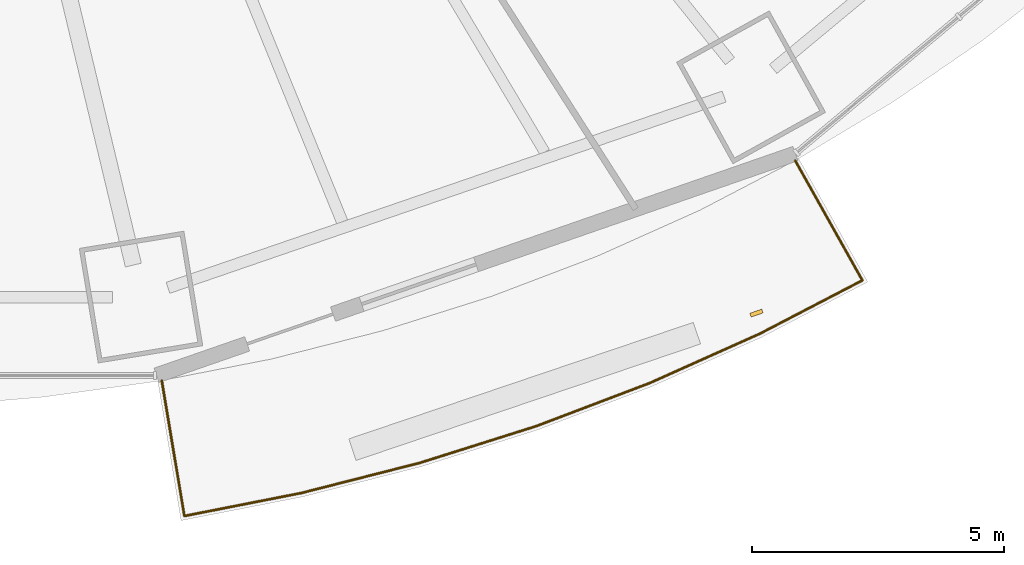
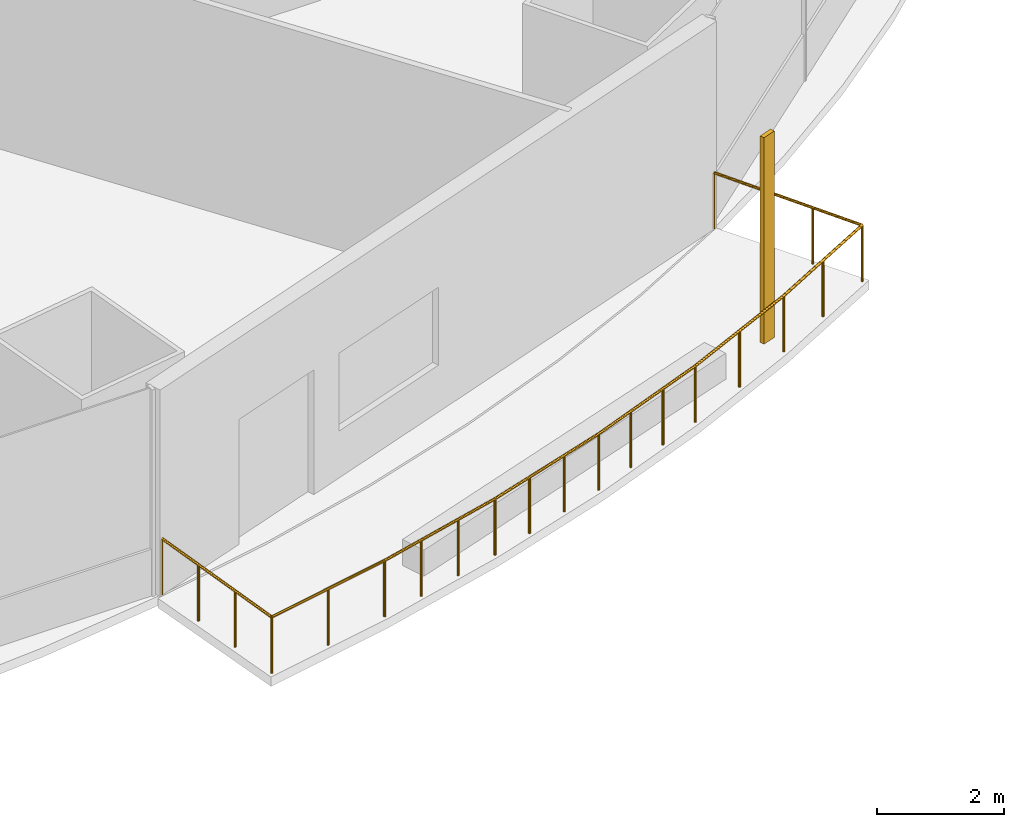
# One storey, part 18 of 22: 1 railing, 1 shading device.
"""IFC4 building model written with IfcOpenShell, lengths in metres."""

from ifc_helpers import new_model, si_unit, direction, frame, origin, origin_2d, place, context, subcontext, project, spatial, rectangle, circle, extrude, material, material_profile, profile_set, type_object, element, save


model = new_model("IFC4")

# Units and contexts
model_context = context("Model", 3, precision=1e-05, world=origin(), true_north=direction((0.0, 1.0)))
body_context = subcontext(model_context, "Body", "Model", "MODEL_VIEW")
ifc_project = project(units=[si_unit("LENGTHUNIT", "METRE"), si_unit("AREAUNIT", "SQUARE_METRE"), si_unit("VOLUMEUNIT", "CUBIC_METRE"), si_unit("PLANEANGLEUNIT", "RADIAN"), si_unit("MASSUNIT", "GRAM", prefix="KILO")], contexts=[model_context])

# Site, building, storey
site_placement = place(None, origin())
site = spatial("IfcSite", under=ifc_project, at=site_placement, CompositionType="ELEMENT")
building_placement = place(site_placement, origin())
building = spatial("IfcBuilding", under=site, at=building_placement, Name="Marenthal Gate Tower", CompositionType="ELEMENT")
storey_placement = place(building_placement, frame((0.0, 0.0, 86.949951171875)))
storey = spatial("IfcBuildingStorey", under=building, at=storey_placement, Name="L17", CompositionType="ELEMENT", Elevation=86.949951171875)

# Railing
ifc_material_1 = material(Name="Stainless steel", Category="steel")
railing_type = type_object("IfcRailingType", Name="Balcony guard 1100", PredefinedType="GUARDRAIL", material=ifc_material_1)
railing_placement = place(storey_placement, frame((19.50341796875, -24.59912109375, 0.0)))
element("IfcRailing", 1, at=railing_placement, inside=storey, type_object=railing_type, Name="Balcony guard L17 bay 13", PredefinedType="GUARDRAIL", context=body_context, shape_type="SweptSolid", body=[
    extrude(circle(Radius=0.02392578125, at=origin_2d()), frame((0.0, 0.0, 1.076171875), z_axis=(0.489023148101, -0.872146623829, -0.01471825955), x_axis=(0.872241104505, 0.489076124557, 0.0)), (0.0, 0.0, 1.0), 2.720458984375),
    extrude(circle(Radius=0.02392578125, at=origin_2d()), frame((1.330322265625, -2.37255859375, 1.0361328125), z_axis=(-0.887216801235, -0.461352736642, 0.0), x_axis=(0.461352736642, -0.887216801235, 0.0)), (0.0, 0.0, 1.0), 2.290771484375),
    extrude(circle(Radius=0.02392578125, at=origin_2d()), frame((-0.7021484375, -3.429443359375, 1.0361328125), z_axis=(-0.912542222384, -0.408982508631, 0.0), x_axis=(0.408982508631, -0.912542222384, 0.0)), (0.0, 0.0, 1.0), 2.3876953125),
    extrude(circle(Radius=0.02392578125, at=origin_2d()), frame((-2.881103515625, -4.406005859375, 1.0361328125), z_axis=(-0.934801116304, -0.355171610573, 0.0), x_axis=(0.355171610573, -0.934801116304, 0.0)), (0.0, 0.0, 1.0), 2.40380859375),
    extrude(circle(Radius=0.02392578125, at=origin_2d()), frame((-5.128173828125, -5.259765625, 1.0361328125), z_axis=(-0.953649791478, -0.300918718616, 0.0), x_axis=(0.300918718616, -0.953649791478, 0.0)), (0.0, 0.0, 1.0), 2.417724609375),
    extrude(circle(Radius=0.02392578125, at=origin_2d()), frame((-7.433837890625, -5.9873046875, 1.0361328125), z_axis=(-0.969141273658, -0.246505966848, 0.0), x_axis=(0.246505966848, -0.969141273658, 0.0)), (0.0, 0.0, 1.0), 2.429443359375),
    extrude(circle(Radius=0.02392578125, at=origin_2d()), frame((-9.788330078125, -6.586181640625, 1.0361328125), z_axis=(-0.981243578155, -0.19277199052, 0.0), x_axis=(0.19277199052, -0.981243578155, 0.0)), (0.0, 0.0, 1.0), 2.359375),
    extrude(circle(Radius=0.02392578125, at=origin_2d()), frame((-12.103515625, -7.041015625, 1.0361328125), z_axis=(-0.164599482451, 0.986250661205, 0.014718819587), x_axis=(-0.986357511038, -0.164617315064, 0.0)), (0.0, 0.0, 1.0), 2.72021484375),
    extrude(circle(Radius=0.02099609375, at=origin_2d()), origin(), (0.0, 0.0, 1.0), 1.052001953125),
    extrude(circle(Radius=0.02099609375, at=origin_2d()), frame((0.443359375, -0.790771484375, -0.013427734375)), (0.0, 0.0, 1.0), 1.052001953125),
    extrude(circle(Radius=0.02099609375, at=origin_2d()), frame((0.886962890625, -1.581787109375, -0.026611328125)), (0.0, 0.0, 1.0), 1.052001953125),
    extrude(circle(Radius=0.02099609375, at=origin_2d()), frame((1.330322265625, -2.37255859375, -0.0400390625)), (0.0, 0.0, 1.0), 1.052001953125),
    extrude(circle(Radius=0.02099609375, at=origin_2d()), frame((0.31396484375, -2.90087890625, -0.0400390625)), (0.0, 0.0, 1.0), 1.052001953125),
    extrude(circle(Radius=0.02099609375, at=origin_2d()), frame((-0.7021484375, -3.429443359375, -0.0400390625)), (0.0, 0.0, 1.0), 1.052001953125),
    extrude(circle(Radius=0.02099609375, at=origin_2d()), frame((-1.79150390625, -3.917724609375, -0.0400390625)), (0.0, 0.0, 1.0), 1.052001953125),
    extrude(circle(Radius=0.02099609375, at=origin_2d()), frame((-2.881103515625, -4.406005859375, -0.0400390625)), (0.0, 0.0, 1.0), 1.052001953125),
    extrude(circle(Radius=0.02099609375, at=origin_2d()), frame((-3.630126953125, -4.690673828125, -0.0400390625)), (0.0, 0.0, 1.0), 1.052001953125),
    extrude(circle(Radius=0.02099609375, at=origin_2d()), frame((-4.379150390625, -4.97509765625, -0.0400390625)), (0.0, 0.0, 1.0), 1.052001953125),
    extrude(circle(Radius=0.02099609375, at=origin_2d()), frame((-5.128173828125, -5.259765625, -0.0400390625)), (0.0, 0.0, 1.0), 1.052001953125),
    extrude(circle(Radius=0.02099609375, at=origin_2d()), frame((-5.896728515625, -5.502197265625, -0.0400390625)), (0.0, 0.0, 1.0), 1.052001953125),
    extrude(circle(Radius=0.02099609375, at=origin_2d()), frame((-6.665283203125, -5.744873046875, -0.0400390625)), (0.0, 0.0, 1.0), 1.052001953125),
    extrude(circle(Radius=0.02099609375, at=origin_2d()), frame((-7.433837890625, -5.9873046875, -0.0400390625)), (0.0, 0.0, 1.0), 1.052001953125),
    extrude(circle(Radius=0.02099609375, at=origin_2d()), frame((-8.21875, -6.18701171875, -0.0400390625)), (0.0, 0.0, 1.0), 1.052001953125),
    extrude(circle(Radius=0.02099609375, at=origin_2d()), frame((-9.00341796875, -6.386474609375, -0.0400390625)), (0.0, 0.0, 1.0), 1.052001953125),
    extrude(circle(Radius=0.02099609375, at=origin_2d()), frame((-9.788330078125, -6.586181640625, -0.0400390625)), (0.0, 0.0, 1.0), 1.052001953125),
    extrude(circle(Radius=0.02099609375, at=origin_2d()), frame((-10.94580078125, -6.8134765625, -0.0400390625)), (0.0, 0.0, 1.0), 1.052001953125),
    extrude(circle(Radius=0.02099609375, at=origin_2d()), frame((-12.103515625, -7.041015625, -0.0400390625)), (0.0, 0.0, 1.0), 1.052001953125),
    extrude(circle(Radius=0.02099609375, at=origin_2d()), frame((-12.252685546875, -6.146728515625, -0.026611328125)), (0.0, 0.0, 1.0), 1.052001953125),
    extrude(circle(Radius=0.02099609375, at=origin_2d()), frame((-12.402099609375, -5.25244140625, -0.013427734375)), (0.0, 0.0, 1.0), 1.052001953125),
    extrude(circle(Radius=0.02099609375, at=origin_2d()), frame((-12.55126953125, -4.358154296875, 0.0)), (0.0, 0.0, 1.0), 1.052001953125),
])

# Shading device
ifc_material_2 = material(Name="Terracotta", Category="masonry")
ifc_material_profile = material_profile(ifc_material_2, rectangle(XDim=0.25, YDim=0.080078125, at=origin_2d()), Name="Terracotta baguette 250x80")
ifc_profile_set = profile_set([ifc_material_profile], Name="Terracotta")
shading_device_type = type_object("IfcShadingDeviceType", Name="Terracotta BAGUETTE SCREEN 250x80", PredefinedType="USERDEFINED", material=ifc_profile_set)
shading_device_placement = place(storey_placement, frame((18.7353515625, -27.6201171875, -0.0400390625), z_axis=(0.0, 0.0, 1.0), x_axis=(0.944634232614, 0.328125230017, 0.0)))
element("IfcShadingDevice", 2, at=shading_device_placement, inside=storey, type_object=shading_device_type, Name="Terracotta BAGUETTE L17 bay 13R", ObjectType="BAGUETTE SCREEN", PredefinedType="USERDEFINED", context=body_context, shape_type="SweptSolid", body=[
    extrude(rectangle(XDim=0.25, YDim=0.080078125, at=origin_2d()), origin(), (0.0, 0.0, 1.0), 3.969970703125),
])

save(model, "model.ifc")
